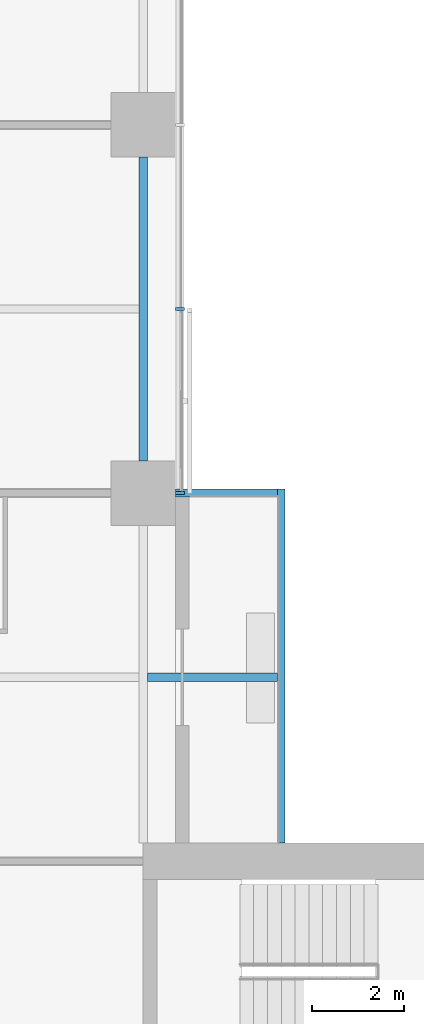
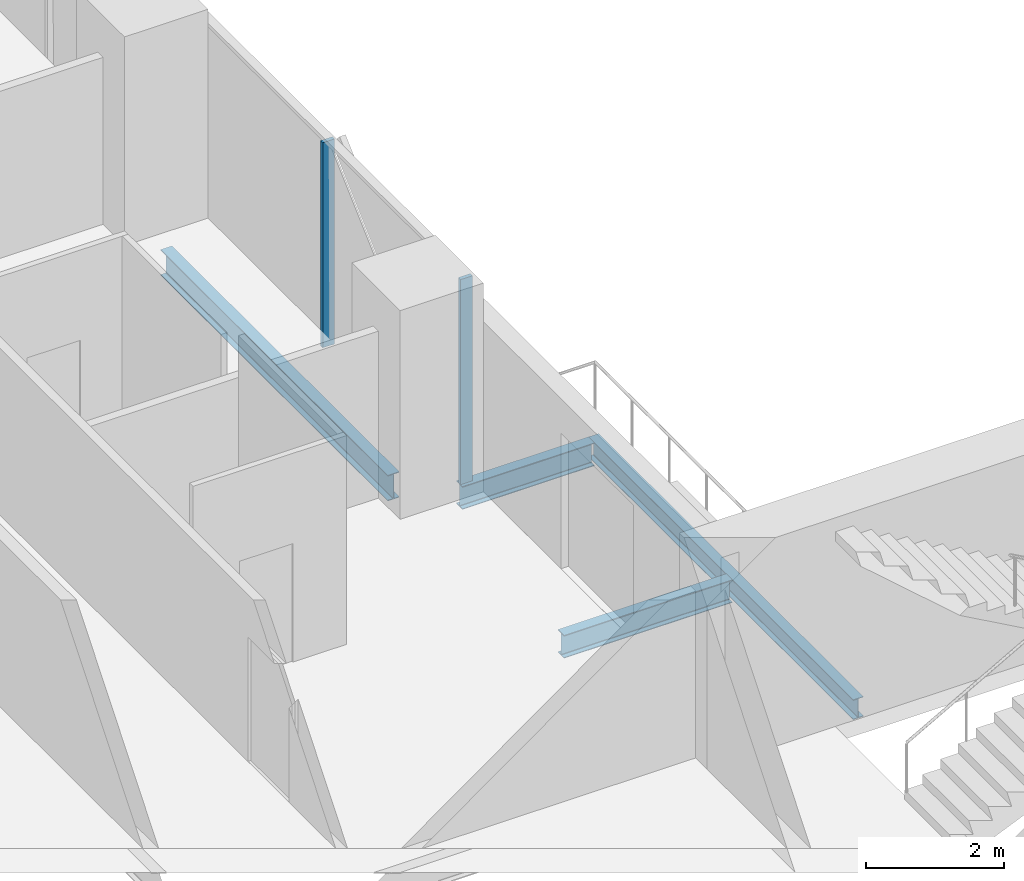
# One storey, part 10 of 27: 4 beams, 2 members, 1 element without a shape of its own.
"""IFC4 building model written with IfcOpenShell, lengths in metres."""

import ifcopenshell
import ifcopenshell.guid

model = None  # the IFC model being written
_history = None  # IfcOwnerHistory: only IFC2X3 demands one
_inside = {}  # id of a spatial element -> (the spatial element, [elements in it])
_under = {}  # id of a project, library or spatial element -> (it, [spatial elements below it])
_declared = {}  # id of a project -> (the project, [libraries it declares])
_typed = {}  # id of a type object -> (the type object, [elements of that type])
_made_of = {}  # id of a material, layer set ... -> (it, [elements and type objects made of it])


def new_model(schema):
    """Start an empty IFC model of exactly this schema.

    Asked for "IFC4X3", IfcOpenShell would pick the latest addendum, in which some entities
    have other attributes; the version numbers below select the first issue.
    IFC2X3 requires an IfcOwnerHistory on every rooted entity: one is made here for all.
    """
    global model, _history
    if schema == "IFC4X3":
        model = ifcopenshell.file(schema_version=(4, 3, 0, 0))
    else:
        model = ifcopenshell.file(schema=schema)
    _inside.clear()
    _under.clear()
    _declared.clear()
    _typed.clear()
    _made_of.clear()
    _history = None
    if model.schema == "IFC2X3":
        org = make("IfcOrganization", Name="unknown")
        user = make(
            "IfcPersonAndOrganization",
            ThePerson=make("IfcPerson", FamilyName="unknown"),
            TheOrganization=org,
        )
        app = make(
            "IfcApplication",
            ApplicationDeveloper=org,
            Version="unknown",
            ApplicationFullName="unknown",
            ApplicationIdentifier="unknown",
        )
        _history = make(
            "IfcOwnerHistory",
            OwningUser=user,
            OwningApplication=app,
            ChangeAction="ADDED",
            CreationDate=0,
        )
    return model


def make(cls, **values):
    """One entity of the class cls with the attributes given. An attribute that is None is left unset."""
    return model.create_entity(
        cls, **{name: value for name, value in values.items() if value is not None}
    )


def rooted(cls, **values):
    """An entity with a GlobalId (a new one), such as an element, a storey or a relation."""
    return make(cls, GlobalId=ifcopenshell.guid.new(), OwnerHistory=_history, **values)


def si_unit(unit_type, name, prefix=None):
    """IfcSIUnit, for example si_unit("LENGTHUNIT", "METRE", prefix="MILLI")."""
    return make("IfcSIUnit", UnitType=unit_type, Prefix=prefix, Name=name)


def assignment(units):
    """IfcUnitAssignment: the units of a project."""
    return None if units is None else make("IfcUnitAssignment", Units=units)


def point(xyz):
    """IfcCartesianPoint."""
    return None if xyz is None else make("IfcCartesianPoint", Coordinates=xyz)


def direction(xyz):
    """IfcDirection."""
    return None if xyz is None else make("IfcDirection", DirectionRatios=xyz)


def frame(location, z_axis=None, x_axis=None):
    """IfcAxis2Placement3D, a coordinate frame: its origin and axes. An axis left out is left unset."""
    return make(
        "IfcAxis2Placement3D",
        Location=point(location),
        Axis=direction(z_axis),
        RefDirection=direction(x_axis),
    )


def frame_2d(location, x_axis=None):
    """IfcAxis2Placement2D, a coordinate frame in the plane: its origin and x axis."""
    return make(
        "IfcAxis2Placement2D", Location=point(location), RefDirection=direction(x_axis)
    )


def origin():
    """The frame at (0, 0, 0) with its axes left unset."""
    return frame((0.0, 0.0, 0.0))


def origin_2d():
    """The frame at (0, 0) in the plane with its x axis left unset."""
    return frame_2d((0.0, 0.0))


def place(relative_to, where):
    """IfcLocalPlacement: puts the frame where relative to a parent placement (None: the world)."""
    return make(
        "IfcLocalPlacement", PlacementRelTo=relative_to, RelativePlacement=where
    )


def context(
    kind, dimensions, precision=None, world=None, true_north=None, identifier=None
):
    """IfcGeometricRepresentationContext, for example the 3D "Model" context."""
    return make(
        "IfcGeometricRepresentationContext",
        ContextIdentifier=identifier,
        ContextType=kind,
        CoordinateSpaceDimension=dimensions,
        Precision=precision,
        WorldCoordinateSystem=world,
        TrueNorth=true_north,
    )


def subcontext(parent, identifier, kind, view, scale=None):
    """IfcGeometricRepresentationSubContext, for example "Body" below "Model"."""
    return make(
        "IfcGeometricRepresentationSubContext",
        ContextIdentifier=identifier,
        ContextType=kind,
        ParentContext=parent,
        TargetScale=scale,
        TargetView=view,
    )


def project(units=None, contexts=None):
    """IfcProject with its units and contexts."""
    return rooted(
        "IfcProject",
        Name="project",
        RepresentationContexts=contexts,
        UnitsInContext=assignment(units),
    )


def spatial(cls, under=None, at=None, **own):
    """A site, building, storey or space (cls), placed at a placement, below another one or the project."""
    s = rooted(cls, ObjectPlacement=at, **own)
    if under is not None:
        _under.setdefault(under.id(), (under, []))[1].append(s)
    return s


def profile(cls, at=None, kind="AREA", **sizes):
    """A parametric profile (cls). Its sizes go by their IFC names, for example OverallWidth=200.0."""
    return make(cls, ProfileType=kind, Position=at, **sizes)


def rectangle(**sizes):
    """IfcRectangleProfileDef."""
    return profile("IfcRectangleProfileDef", **sizes)


def i_section(**sizes):
    """IfcIShapeProfileDef."""
    return profile("IfcIShapeProfileDef", **sizes)


def extrude(swept, where, along, depth):
    """IfcExtrudedAreaSolid: the profile swept, set in the frame where, extruded along a direction by depth."""
    return make(
        "IfcExtrudedAreaSolid",
        SweptArea=swept,
        Position=where,
        ExtrudedDirection=direction(along),
        Depth=depth,
    )


def shape(context_of_items, identifier, shape_type, items):
    """IfcShapeRepresentation: the items that make up one representation, for example the "Body"."""
    return make(
        "IfcShapeRepresentation",
        ContextOfItems=context_of_items,
        RepresentationIdentifier=identifier,
        RepresentationType=shape_type,
        Items=items,
    )


def material(Name=None, Category=None):
    """IfcMaterial."""
    return make("IfcMaterial", Name=Name, Category=Category)


def material_profile(
    of_material, cross_section, Name=None, Category=None, Priority=None
):
    """IfcMaterialProfile: a cross section and its material."""
    return make(
        "IfcMaterialProfile",
        Name=Name,
        Material=of_material,
        Profile=cross_section,
        Priority=Priority,
        Category=Category,
    )


def profile_set(profiles, Name=None, composite=None):
    """IfcMaterialProfileSet."""
    return make(
        "IfcMaterialProfileSet",
        Name=Name,
        MaterialProfiles=profiles,
        CompositeProfile=composite,
    )


def made_of(thing, what):
    """Note that an element or type object is made of a material, layer set ...; save() writes the relation."""
    if what is not None:
        _made_of.setdefault(what.id(), (what, []))[1].append(thing)
    return thing


def type_object(cls, material=None, **own):
    """A type object (cls), such as IfcWallType, which elements share."""
    return made_of(rooted(cls, **own), material)


def element(
    cls,
    number,
    at=None,
    inside=None,
    cuts=None,
    type_object=None,
    material=None,
    context=None,
    identifier="Body",
    shape_type=None,
    held_by="IfcProductDefinitionShape",
    body=None,
    shapes=None,
    **own,
):
    """One element of the class cls, such as IfcWall. Its Tag is "e" and its number.

    at: its placement. inside: the storey or other place that contains it. cuts: it is an
    opening in that element (IfcRelVoidsElement). A single representation is given by context,
    identifier, shape_type and body (its items); several are given by shapes. held_by: the class
    of the entity that holds the representations. save() writes the other relations.
    """
    e = rooted(cls, Tag="e%d" % number, ObjectPlacement=at, **own)
    if body is not None:
        shapes = [shape(context, identifier, shape_type, body)]
    if shapes is not None:
        e.Representation = make(held_by, Representations=shapes)
    if inside is not None:
        _inside.setdefault(inside.id(), (inside, []))[1].append(e)
    if cuts is not None:
        rooted(
            "IfcRelVoidsElement", RelatingBuildingElement=cuts, RelatedOpeningElement=e
        )
    if type_object is not None:
        _typed.setdefault(type_object.id(), (type_object, []))[1].append(e)
    return made_of(e, material)


def aggregate(whole, parts):
    """IfcRelAggregates: a whole, such as a stair, and the parts it consists of."""
    return rooted("IfcRelAggregates", RelatingObject=whole, RelatedObjects=parts)


def save(model, path):
    """Write the relations noted so far, then the file.

    IfcRelAggregates (storeys below a building ...), IfcRelContainedInSpatialStructure (elements
    in a storey), IfcRelDefinesByType, IfcRelAssociatesMaterial and IfcRelDeclares: one each for
    every whole, place, type object, material and project.
    """
    for whole, parts in _under.values():
        aggregate(whole, parts)
    for where, things in _inside.values():
        rooted(
            "IfcRelContainedInSpatialStructure",
            RelatedElements=things,
            RelatingStructure=where,
        )
    for kind, things in _typed.values():
        rooted("IfcRelDefinesByType", RelatedObjects=things, RelatingType=kind)
    for what, things in _made_of.values():
        rooted("IfcRelAssociatesMaterial", RelatedObjects=things, RelatingMaterial=what)
    for by, libraries in _declared.values():
        rooted("IfcRelDeclares", RelatingContext=by, RelatedDefinitions=libraries)
    model.write(path)


model = new_model("IFC4")

# Units and contexts
model_context = context("Model", 3, precision=1e-05, world=origin(), true_north=direction((0.0, 1.0)))
body_context = subcontext(model_context, "Body", "Model", "MODEL_VIEW")
ifc_project = project(units=[si_unit("LENGTHUNIT", "METRE"), si_unit("AREAUNIT", "SQUARE_METRE"), si_unit("VOLUMEUNIT", "CUBIC_METRE"), si_unit("PLANEANGLEUNIT", "RADIAN"), si_unit("MASSUNIT", "GRAM", prefix="KILO")], contexts=[model_context])

# Site, building, storey
site_placement = place(None, origin())
site = spatial("IfcSite", under=ifc_project, at=site_placement, CompositionType="ELEMENT")
building_placement = place(site_placement, origin())
building = spatial("IfcBuilding", under=site, at=building_placement, Name="Crosswind Convention Tower", CompositionType="ELEMENT")
storey_placement = place(building_placement, frame((0.0, 0.0, 86.800048828125)))
storey = spatial("IfcBuildingStorey", under=building, at=storey_placement, Name="L16", CompositionType="ELEMENT", Elevation=86.800048828125)

# Beams
ifc_material_1 = material(Name="Steel S355", Category="steel")
ifc_material_profile_1 = material_profile(ifc_material_1, i_section(OverallWidth=0.177734375, OverallDepth=0.406494140625, WebThickness=0.0078125, FlangeThickness=0.0126953125, FilletRadius=0.01025390625, at=origin_2d()), Name="UB 406x178x60")
ifc_profile_set_1 = profile_set([ifc_material_profile_1], Name="Steel S355")
beam_type_1 = type_object("IfcBeamType", Name="Balcony cantilever UB 406x178x60", PredefinedType="BEAM", material=ifc_profile_set_1)
beam_1_placement = place(storey_placement, frame((137.09521484375, 116.0, -0.483154296875), z_axis=(1.0, 0.0, 0.0), x_axis=(0.0, 1.0, 0.0)))
element("IfcBeam", 1, at=beam_1_placement, inside=storey, type_object=beam_type_1, Name="B35 L16 balcony cantilever NE 1", PredefinedType="BEAM", context=body_context, shape_type="SweptSolid", body=[
    extrude(i_section(OverallWidth=0.177734375, OverallDepth=0.406494140625, WebThickness=0.0078125, FlangeThickness=0.0126953125, FilletRadius=0.01025390625, at=origin_2d()), origin(), (0.0, 0.0, 1.0), 2.8193359375),
])
beam_2_placement = place(storey_placement, frame((137.699951171875, 120.0, -0.483154296875), z_axis=(1.0, 0.0, 0.0), x_axis=(0.0, 1.0, 0.0)))
element("IfcBeam", 2, at=beam_2_placement, inside=storey, type_object=beam_type_1, Name="B35 L16 balcony cantilever NE 2", PredefinedType="BEAM", context=body_context, shape_type="SweptSolid", body=[
    extrude(i_section(OverallWidth=0.177734375, OverallDepth=0.406494140625, WebThickness=0.0078125, FlangeThickness=0.0126953125, FilletRadius=0.01025390625, at=origin_2d()), origin(), (0.0, 0.0, 1.0), 2.214599609375),
])
ifc_material_profile_2 = material_profile(ifc_material_1, i_section(OverallWidth=0.1708984375, OverallDepth=0.35205078125, WebThickness=0.0068359375, FlangeThickness=0.009765625, FilletRadius=0.01025390625, at=origin_2d()), Name="UB 356x171x45")
ifc_profile_set_2 = profile_set([ifc_material_profile_2], Name="Steel S355")
beam_type_2 = type_object("IfcBeamType", Name="Balcony edge beam UB 356x171x45", PredefinedType="BEAM", material=ifc_profile_set_2)
beam_3_placement = place(storey_placement, frame((140.0, 112.39990234375, -0.4560546875), z_axis=(0.0, 1.0, 0.0), x_axis=(-1.0, 0.0, 0.0)))
element("IfcBeam", 3, at=beam_3_placement, inside=storey, type_object=beam_type_2, Name="B37 L16 balcony edge beam NE 3", PredefinedType="BEAM", context=body_context, shape_type="SweptSolid", body=[
    extrude(i_section(OverallWidth=0.1708984375, OverallDepth=0.35205078125, WebThickness=0.0068359375, FlangeThickness=0.009765625, FilletRadius=0.01025390625, at=origin_2d()), origin(), (0.0, 0.0, 1.0), 7.68896484375),
])
ifc_material_profile_3 = material_profile(ifc_material_1, i_section(OverallWidth=0.1904296875, OverallDepth=0.457275390625, WebThickness=0.009033203125, FlangeThickness=0.014404296875, FilletRadius=0.01025390625, at=origin_2d()), Name="UB 457x191x75")
ifc_profile_set_3 = profile_set([ifc_material_profile_3], Name="Steel S355")
beam_type_3 = type_object("IfcBeamType", Name="Edge beam UB 457x191x75", PredefinedType="SPANDREL", material=ifc_profile_set_3)
beam_4_placement = place(storey_placement, frame((137.0, 120.699951171875, -0.508544921875), z_axis=(0.0, 1.0, 0.0), x_axis=(-1.0, 0.0, 0.0)))
element("IfcBeam", 4, at=beam_4_placement, inside=storey, type_object=beam_type_3, Name="B17 L16 edge beam 22", PredefinedType="SPANDREL", context=body_context, shape_type="SweptSolid", body=[
    extrude(i_section(OverallWidth=0.1904296875, OverallDepth=0.457275390625, WebThickness=0.009033203125, FlangeThickness=0.014404296875, FilletRadius=0.01025390625, at=origin_2d()), origin(), (0.0, 0.0, 1.0), 6.60009765625),
])

# Curtain wall, members
ifc_material_2 = material(Name="Aluminium unitised curtain wall", Category="aluminium")
curtain_wall_type = type_object("IfcCurtainWallType", Name="HOTEL UNITISED WALL 200", PredefinedType="USERDEFINED", material=ifc_material_2)
curtain_wall_placement = place(storey_placement, origin())
curtain_wall = element("IfcCurtainWall", 5, at=curtain_wall_placement, inside=storey, type_object=curtain_wall_type, Name="CW2 L16 N-E 1", ObjectType="UNITISED", PredefinedType="USERDEFINED")
ifc_material_3 = material(Name="Aluminium mullion", Category="aluminium")
ifc_material_profile_4 = material_profile(ifc_material_3, rectangle(XDim=0.199951171875, YDim=0.06494140625, at=origin_2d()), Name="AL 200X65")
ifc_profile_set_4 = profile_set([ifc_material_profile_4], Name="Aluminium mullion")
member_type = type_object("IfcMemberType", Name="MULLION 65X200", PredefinedType="MULLION", material=ifc_profile_set_4)
member_1_placement = place(storey_placement, frame((137.800048828125, 120.0, -0.280029296875), z_axis=(0.0, 0.0, 1.0), x_axis=(1.0, 0.0, 0.0)))
member_1 = element("IfcMember", 6, at=member_1_placement, type_object=member_type, Name="CW2 mullion 1", PredefinedType="MULLION", context=body_context, shape_type="SweptSolid", body=[
    extrude(rectangle(XDim=0.199951171875, YDim=0.06494140625, at=origin_2d()), origin(), (0.0, 0.0, 1.0), 3.635009765625),
])
member_2_placement = place(storey_placement, frame((137.800048828125, 124.0, -0.280029296875), z_axis=(0.0, 0.0, 1.0), x_axis=(1.0, 0.0, 0.0)))
member_2 = element("IfcMember", 7, at=member_2_placement, type_object=member_type, Name="CW2 mullion 2", PredefinedType="MULLION", context=body_context, shape_type="SweptSolid", body=[
    extrude(rectangle(XDim=0.199951171875, YDim=0.06494140625, at=origin_2d()), origin(), (0.0, 0.0, 1.0), 3.635009765625),
])
aggregate(curtain_wall, [member_1, member_2])

save(model, "model.ifc")
